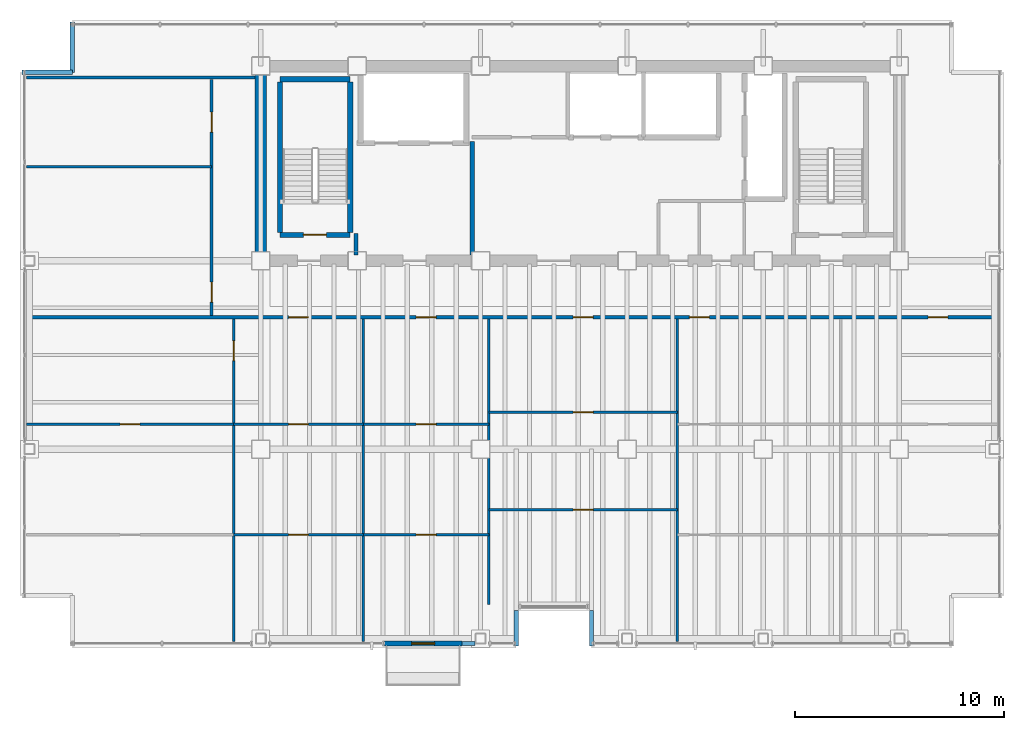
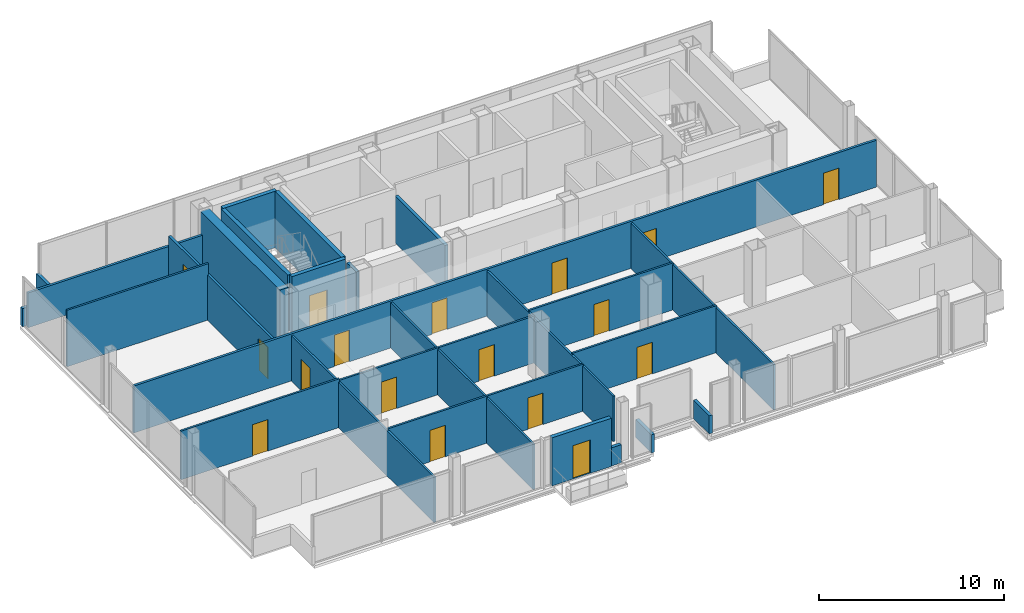
# One storey, part 19 of 22: 28 walls, 17 doors, 17 openings.
"""IFC4 building model written with IfcOpenShell, lengths in metres."""

from ifc_helpers import new_model, si_unit, direction, frame, frame_2d, origin, place, context, subcontext, project, spatial, rectangle, extrude, material, layer, layer_set, type_object, element, fill, save


model = new_model("IFC4")

# Units and contexts
model_context = context("Model", 3, precision=1e-05, world=origin(), true_north=direction((0.0, 1.0)))
body_context = subcontext(model_context, "Body", "Model", "MODEL_VIEW")
ifc_project = project(units=[si_unit("LENGTHUNIT", "METRE"), si_unit("AREAUNIT", "SQUARE_METRE"), si_unit("VOLUMEUNIT", "CUBIC_METRE"), si_unit("PLANEANGLEUNIT", "RADIAN"), si_unit("MASSUNIT", "GRAM", prefix="KILO")], contexts=[model_context])

# Site, building, storey
site_placement = place(None, origin())
site = spatial("IfcSite", under=ifc_project, at=site_placement, CompositionType="ELEMENT")
building_placement = place(site_placement, origin())
building = spatial("IfcBuilding", under=site, at=building_placement, Name="Noeulbin Bourse Tower", CompositionType="ELEMENT")
storey_placement = place(building_placement, frame((0.0, 0.0, 134.39990234375)))
storey = spatial("IfcBuildingStorey", under=building, at=storey_placement, Name="L33", CompositionType="ELEMENT", Elevation=134.39990234375)

# Wall
ifc_material_1 = material(Name="Concrete C60/75", Category="concrete")
ifc_layer_1 = layer(ifc_material_1, 0.550048828125)
ifc_layer_set_1 = layer_set([ifc_layer_1], Name="Concrete C60/75")
wall_type_1 = type_object("IfcWallType", Name="WAL-CORE-550", PredefinedType="SHEAR", material=ifc_layer_set_1)
wall_1_placement = place(storey_placement, frame((13.5, 29.35009765625, 0.0), z_axis=(0.0, 0.0, 1.0), x_axis=(0.0, 1.0, 0.0)))
element("IfcWall", 1, at=wall_1_placement, inside=storey, type_object=wall_type_1, Name="Rear Core West Shear Wall L33", PredefinedType="SHEAR", context=body_context, shape_type="SweptSolid", body=[
    extrude(rectangle(XDim=8.599853515625, YDim=0.550048828125, at=frame_2d((4.2998046875, 0.0))), origin(), (0.0, 0.0, 1.0), 3.72021484375),
])

# Wall, opening, door
ifc_material_2 = material(Name="Precast Concrete C40/50", Category="concrete")
ifc_layer_2 = layer(ifc_material_2, 0.25)
ifc_layer_set_2 = layer_set([ifc_layer_2], Name="Precast Concrete C40/50")
wall_type_2 = type_object("IfcWallType", Name="WAL-EXT-250", PredefinedType="STANDARD", material=ifc_layer_set_2)
wall_2_placement = place(storey_placement, frame((19.39990234375, 10.719970703125, 0.0), z_axis=(0.0, 0.0, 1.0), x_axis=(1.0, 0.0, 0.0)))
wall_2 = element("IfcWall", 2, at=wall_2_placement, inside=storey, type_object=wall_type_2, Name="Balcony Threshold Wall L33", PredefinedType="STANDARD", context=body_context, shape_type="SweptSolid", body=[
    extrude(rectangle(XDim=3.7001953125, YDim=0.25, at=frame_2d((1.85009765625, 0.0))), origin(), (0.0, 0.0, 1.0), 3.18017578125),
])
opening_1_placement = place(wall_2_placement, frame((1.300048828125, 0.0, 0.0)))
opening_1 = element("IfcOpeningElement", 3, at=opening_1_placement, cuts=wall_2, Name="Opening BD-11", PredefinedType="OPENING", context=body_context, shape_type="SweptSolid", body=[
    extrude(rectangle(XDim=1.10009765625, YDim=2.199951171875, at=frame_2d((0.550048828125, 1.10009765625))), frame((0.0, 0.135009765625, 0.0), z_axis=(0.0, -1.0, 0.0), x_axis=(1.0, 0.0, 0.0)), (0.0, 0.0, 1.0), 0.27001953125),
])
ifc_material_3 = material(Name="Thermally Broken Aluminium Framed Glass", Category="aluminium")
door_type_1 = type_object("IfcDoorType", Name="DR-BAL-1100", OperationType="SINGLE_SWING_LEFT", PredefinedType="DOOR", material=ifc_material_3)
door_1_placement = place(opening_1_placement, origin())
door_1 = element("IfcDoor", 4, at=door_1_placement, inside=storey, type_object=door_type_1, Name="Tree-Balcony Access Door BD-L33", OperationType="SINGLE_SWING_LEFT", OverallHeight=2.199951171875, OverallWidth=1.10009765625, PredefinedType="DOOR", context=body_context, shape_type="SweptSolid", body=[
    extrude(rectangle(XDim=1.10009765625, YDim=2.199951171875, at=frame_2d((0.550048828125, 1.10009765625))), frame((0.0, 0.02490234375, 0.0), z_axis=(0.0, -1.0, 0.0), x_axis=(1.0, 0.0, 0.0)), (0.0, 0.0, 1.0), 0.050048828125),
])
fill(opening_1, door_1)

# Walls
ifc_material_4 = material(Name="Concrete C40/50", Category="concrete")
ifc_layer_3 = layer(ifc_material_4, 0.199951171875)
ifc_layer_set_3 = layer_set([ifc_layer_3], Name="Concrete C40/50")
wall_type_3 = type_object("IfcWallType", Name="WAL-FIRE-200", PredefinedType="STANDARD", material=ifc_layer_set_3)
wall_3_placement = place(storey_placement, frame((18.050048828125, 29.284912109375, 0.0), z_axis=(0.0, 0.0, 1.0), x_axis=(0.0, 1.0, 0.0)))
element("IfcWall", 5, at=wall_3_placement, inside=storey, type_object=wall_type_3, Name="Interior Partition Wall L33-19", PredefinedType="STANDARD", context=body_context, shape_type="SweptSolid", body=[
    extrude(rectangle(XDim=1.01513671875, YDim=0.199951171875, at=frame_2d((0.507568359375, 0.0))), origin(), (0.0, 0.0, 1.0), 3.300048828125),
])
wall_4_placement = place(storey_placement, frame((23.60009765625, 29.284912109375, 0.0), z_axis=(0.0, 0.0, 1.0), x_axis=(0.0, 1.0, 0.0)))
element("IfcWall", 6, at=wall_4_placement, inside=storey, type_object=wall_type_3, Name="Interior Partition Wall L33-21", PredefinedType="STANDARD", context=body_context, shape_type="SweptSolid", body=[
    extrude(rectangle(XDim=5.4150390625, YDim=0.199951171875, at=frame_2d((2.70751953125, 0.0))), origin(), (0.0, 0.0, 1.0), 3.10009765625),
])
ifc_layer_4 = layer(ifc_material_4, 0.199951171875)
ifc_layer_set_4 = layer_set([ifc_layer_4], Name="Concrete C40/50")
wall_type_4 = type_object("IfcWallType", Name="WAL-PAR-200", PredefinedType="PARAPET", material=ifc_layer_set_4)
wall_5_placement = place(storey_placement, frame((23.10009765625, 10.719970703125, 0.0), z_axis=(0.0, 0.0, 1.0), x_axis=(1.0, 0.0, 0.0)))
element("IfcWall", 7, at=wall_5_placement, inside=storey, type_object=wall_type_4, Name="Perimeter Pier Spandrel Parapet L33-S1", PredefinedType="PARAPET", context=body_context, shape_type="SweptSolid", body=[
    extrude(rectangle(XDim=0.6298828125, YDim=0.199951171875, at=frame_2d((0.31494140625, 0.0))), origin(), (0.0, 0.0, 1.0), 1.2001953125),
])
for number, where, z_axis, x_axis, name in (
    (8, (2.10009765625, 38.0, 0.0), (0.0, 0.0, 1.0), (1.0, 0.0, 0.0), "Corner Notch Parapet L33-NW1"),
    (9, (4.5, 38.0, 0.0), (0.0, 0.0, 1.0), (0.0, 1.0, 0.0), "Corner Notch Parapet L33-NW2"),
):
    element("IfcWall", number, at=place(storey_placement, frame(where, z_axis=z_axis, x_axis=x_axis)), inside=storey, type_object=wall_type_4, Name=name, PredefinedType="PARAPET", context=body_context, shape_type="SweptSolid", body=[
        extrude(rectangle(XDim=2.39990234375, YDim=0.199951171875, at=frame_2d((1.199951171875, 0.0))), origin(), (0.0, 0.0, 1.0), 1.2001953125),
    ])
for number, where, z_axis, x_axis, name in (
    (10, (25.699951171875, 10.60009765625, 0.0), (0.0, 0.0, 1.0), (0.0, 1.0, 0.0), "Sky-Garden Recess Parapet L33-W"),
    (11, (29.300048828125, 12.300048828125, 0.0), (0.0, 0.0, 1.0), (0.0, -1.0, 0.0), "Sky-Garden Recess Parapet L33-E"),
):
    element("IfcWall", number, at=place(storey_placement, frame(where, z_axis=z_axis, x_axis=x_axis)), inside=storey, type_object=wall_type_4, Name=name, PredefinedType="PARAPET", context=body_context, shape_type="SweptSolid", body=[
        extrude(rectangle(XDim=1.699951171875, YDim=0.199951171875, at=frame_2d((0.85009765625, 0.0))), origin(), (0.0, 0.0, 1.0), 1.2001953125),
    ])

# Wall, opening, door
ifc_material_5 = material(Name="Steel Stud Gypsum Partition", Category="steel")
ifc_layer_5 = layer(ifc_material_5, 0.1201171875)
ifc_layer_set_5 = layer_set([ifc_layer_5], Name="Steel Stud Gypsum Partition")
wall_type_5 = type_object("IfcWallType", Name="WAL-PRT-120", PredefinedType="PARTITIONING", material=ifc_layer_set_5)
wall_6_placement = place(storey_placement, frame((2.31005859375, 21.18798828125, 0.0), z_axis=(0.0, 0.0, 1.0), x_axis=(1.0, 0.0, 0.0)))
wall_6 = element("IfcWall", 12, at=wall_6_placement, inside=storey, type_object=wall_type_5, Name="Interior Partition Wall L33-06", PredefinedType="PARTITIONING", context=body_context, shape_type="SweptSolid", body=[
    extrude(rectangle(XDim=9.889892578125, YDim=0.1201171875, at=frame_2d((4.94482421875, 0.0))), origin(), (0.0, 0.0, 1.0), 3.212158203125),
])
opening_2_placement = place(wall_6_placement, frame((4.469970703125, 0.0, 0.0)))
opening_2 = element("IfcOpeningElement", 13, at=opening_2_placement, cuts=wall_6, Name="Opening ID-09", PredefinedType="OPENING", context=body_context, shape_type="SweptSolid", body=[
    extrude(rectangle(XDim=0.949951171875, YDim=2.080078125, at=frame_2d((0.47509765625, 1.0400390625))), frame((0.0, 0.070068359375, 0.0), z_axis=(0.0, -1.0, 0.0), x_axis=(1.0, 0.0, 0.0)), (0.0, 0.0, 1.0), 0.14013671875),
])
ifc_material_6 = material(Name="Acoustic Solid-Core Timber", Category="wood")
door_type_2 = type_object("IfcDoorType", Name="DR-SINGLE-950", OperationType="SINGLE_SWING_LEFT", PredefinedType="DOOR", material=ifc_material_6)
door_2_placement = place(opening_2_placement, origin())
door_2 = element("IfcDoor", 14, at=door_2_placement, inside=storey, type_object=door_type_2, Name="Interior Door L33-08", OperationType="SINGLE_SWING_RIGHT", OverallHeight=2.080078125, OverallWidth=0.949951171875, PredefinedType="DOOR", context=body_context, shape_type="SweptSolid", body=[
    extrude(rectangle(XDim=0.949951171875, YDim=2.080078125, at=frame_2d((0.47509765625, 1.0400390625))), frame((0.0, 0.02490234375, 0.0), z_axis=(0.0, -1.0, 0.0), x_axis=(1.0, 0.0, 0.0)), (0.0, 0.0, 1.0), 0.050048828125),
])
fill(opening_2, door_2)

wall_7_placement = place(storey_placement, frame((12.199951171875, 21.18798828125, 0.0), z_axis=(0.0, 0.0, 1.0), x_axis=(1.0, 0.0, 0.0)))
wall_7 = element("IfcWall", 15, at=wall_7_placement, inside=storey, type_object=wall_type_5, Name="Interior Partition Wall L33-08", PredefinedType="PARTITIONING", context=body_context, shape_type="SweptSolid", body=[
    extrude(rectangle(XDim=6.199951171875, YDim=0.1201171875, at=frame_2d((3.10009765625, 0.0))), origin(), (0.0, 0.0, 1.0), 3.10009765625),
])
opening_3_placement = place(wall_7_placement, frame((2.625, 0.0, 0.0)))
opening_3 = element("IfcOpeningElement", 16, at=opening_3_placement, cuts=wall_7, Name="Opening ID-09", PredefinedType="OPENING", context=body_context, shape_type="SweptSolid", body=[
    extrude(rectangle(XDim=0.949951171875, YDim=2.080078125, at=frame_2d((0.47509765625, 1.0400390625))), frame((0.0, 0.070068359375, 0.0), z_axis=(0.0, -1.0, 0.0), x_axis=(1.0, 0.0, 0.0)), (0.0, 0.0, 1.0), 0.14013671875),
])
door_3_placement = place(opening_3_placement, origin())
door_3 = element("IfcDoor", 17, at=door_3_placement, inside=storey, type_object=door_type_2, Name="Interior Door L33-11", OperationType="SINGLE_SWING_LEFT", OverallHeight=2.080078125, OverallWidth=0.949951171875, PredefinedType="DOOR", context=body_context, shape_type="SweptSolid", body=[
    extrude(rectangle(XDim=0.949951171875, YDim=2.080078125, at=frame_2d((0.47509765625, 1.0400390625))), frame((0.0, 0.02490234375, 0.0), z_axis=(0.0, -1.0, 0.0), x_axis=(1.0, 0.0, 0.0)), (0.0, 0.0, 1.0), 0.050048828125),
])
fill(opening_3, door_3)

wall_8_placement = place(storey_placement, frame((12.199951171875, 15.922119140625, 0.0), z_axis=(0.0, 0.0, 1.0), x_axis=(1.0, 0.0, 0.0)))
wall_8 = element("IfcWall", 18, at=wall_8_placement, inside=storey, type_object=wall_type_5, Name="Interior Partition Wall L33-09", PredefinedType="PARTITIONING", context=body_context, shape_type="SweptSolid", body=[
    extrude(rectangle(XDim=6.199951171875, YDim=0.1201171875, at=frame_2d((3.10009765625, 0.0))), origin(), (0.0, 0.0, 1.0), 3.10009765625),
])
opening_4_placement = place(wall_8_placement, frame((2.625, 0.0, 0.0)))
opening_4 = element("IfcOpeningElement", 19, at=opening_4_placement, cuts=wall_8, Name="Opening ID-09", PredefinedType="OPENING", context=body_context, shape_type="SweptSolid", body=[
    extrude(rectangle(XDim=0.949951171875, YDim=2.080078125, at=frame_2d((0.47509765625, 1.0400390625))), frame((0.0, 0.070068359375, 0.0), z_axis=(0.0, -1.0, 0.0), x_axis=(1.0, 0.0, 0.0)), (0.0, 0.0, 1.0), 0.14013671875),
])
door_4_placement = place(opening_4_placement, origin())
door_4 = element("IfcDoor", 20, at=door_4_placement, inside=storey, type_object=door_type_2, Name="Interior Door L33-12", OperationType="SINGLE_SWING_RIGHT", OverallHeight=2.080078125, OverallWidth=0.949951171875, PredefinedType="DOOR", context=body_context, shape_type="SweptSolid", body=[
    extrude(rectangle(XDim=0.949951171875, YDim=2.080078125, at=frame_2d((0.47509765625, 1.0400390625))), frame((0.0, 0.02490234375, 0.0), z_axis=(0.0, -1.0, 0.0), x_axis=(1.0, 0.0, 0.0)), (0.0, 0.0, 1.0), 0.050048828125),
])
fill(opening_4, door_4)

wall_9_placement = place(storey_placement, frame((18.39990234375, 21.18798828125, 0.0), z_axis=(0.0, 0.0, 1.0), x_axis=(1.0, 0.0, 0.0)))
wall_9 = element("IfcWall", 21, at=wall_9_placement, inside=storey, type_object=wall_type_5, Name="Interior Partition Wall L33-10", PredefinedType="PARTITIONING", context=body_context, shape_type="SweptSolid", body=[
    extrude(rectangle(XDim=6.0, YDim=0.1201171875, at=frame_2d((3.0, 0.0))), origin(), (0.0, 0.0, 1.0), 3.10009765625),
])
opening_5_placement = place(wall_9_placement, frame((2.52490234375, 0.0, 0.0)))
opening_5 = element("IfcOpeningElement", 22, at=opening_5_placement, cuts=wall_9, Name="Opening ID-09", PredefinedType="OPENING", context=body_context, shape_type="SweptSolid", body=[
    extrude(rectangle(XDim=0.949951171875, YDim=2.080078125, at=frame_2d((0.47509765625, 1.0400390625))), frame((0.0, 0.070068359375, 0.0), z_axis=(0.0, -1.0, 0.0), x_axis=(1.0, 0.0, 0.0)), (0.0, 0.0, 1.0), 0.14013671875),
])
door_5_placement = place(opening_5_placement, origin())
door_5 = element("IfcDoor", 23, at=door_5_placement, inside=storey, type_object=door_type_2, Name="Interior Door L33-14", OperationType="SINGLE_SWING_RIGHT", OverallHeight=2.080078125, OverallWidth=0.949951171875, PredefinedType="DOOR", context=body_context, shape_type="SweptSolid", body=[
    extrude(rectangle(XDim=0.949951171875, YDim=2.080078125, at=frame_2d((0.47509765625, 1.0400390625))), frame((0.0, 0.02490234375, 0.0), z_axis=(0.0, -1.0, 0.0), x_axis=(1.0, 0.0, 0.0)), (0.0, 0.0, 1.0), 0.050048828125),
])
fill(opening_5, door_5)

wall_10_placement = place(storey_placement, frame((18.39990234375, 15.922119140625, 0.0), z_axis=(0.0, 0.0, 1.0), x_axis=(1.0, 0.0, 0.0)))
wall_10 = element("IfcWall", 24, at=wall_10_placement, inside=storey, type_object=wall_type_5, Name="Interior Partition Wall L33-11", PredefinedType="PARTITIONING", context=body_context, shape_type="SweptSolid", body=[
    extrude(rectangle(XDim=6.0, YDim=0.1201171875, at=frame_2d((3.0, 0.0))), origin(), (0.0, 0.0, 1.0), 3.10009765625),
])
opening_6_placement = place(wall_10_placement, frame((2.52490234375, 0.0, 0.0)))
opening_6 = element("IfcOpeningElement", 25, at=opening_6_placement, cuts=wall_10, Name="Opening ID-09", PredefinedType="OPENING", context=body_context, shape_type="SweptSolid", body=[
    extrude(rectangle(XDim=0.949951171875, YDim=2.080078125, at=frame_2d((0.47509765625, 1.0400390625))), frame((0.0, 0.070068359375, 0.0), z_axis=(0.0, -1.0, 0.0), x_axis=(1.0, 0.0, 0.0)), (0.0, 0.0, 1.0), 0.14013671875),
])
door_6_placement = place(opening_6_placement, origin())
door_6 = element("IfcDoor", 26, at=door_6_placement, inside=storey, type_object=door_type_2, Name="Interior Door L33-15", OperationType="SINGLE_SWING_LEFT", OverallHeight=2.080078125, OverallWidth=0.949951171875, PredefinedType="DOOR", context=body_context, shape_type="SweptSolid", body=[
    extrude(rectangle(XDim=0.949951171875, YDim=2.080078125, at=frame_2d((0.47509765625, 1.0400390625))), frame((0.0, 0.02490234375, 0.0), z_axis=(0.0, -1.0, 0.0), x_axis=(1.0, 0.0, 0.0)), (0.0, 0.0, 1.0), 0.050048828125),
])
fill(opening_6, door_6)

wall_11_placement = place(storey_placement, frame((24.39990234375, 21.76904296875, 0.0), z_axis=(0.0, 0.0, 1.0), x_axis=(1.0, 0.0, 0.0)))
wall_11 = element("IfcWall", 27, at=wall_11_placement, inside=storey, type_object=wall_type_5, Name="Interior Partition Wall L33-12", PredefinedType="PARTITIONING", context=body_context, shape_type="SweptSolid", body=[
    extrude(rectangle(XDim=9.0, YDim=0.1201171875, at=frame_2d((4.5, 0.0))), origin(), (0.0, 0.0, 1.0), 3.10009765625),
])
opening_7_placement = place(wall_11_placement, frame((4.02490234375, 0.0, 0.0)))
opening_7 = element("IfcOpeningElement", 28, at=opening_7_placement, cuts=wall_11, Name="Opening ID-09", PredefinedType="OPENING", context=body_context, shape_type="SweptSolid", body=[
    extrude(rectangle(XDim=0.949951171875, YDim=2.080078125, at=frame_2d((0.47509765625, 1.0400390625))), frame((0.0, 0.070068359375, 0.0), z_axis=(0.0, -1.0, 0.0), x_axis=(1.0, 0.0, 0.0)), (0.0, 0.0, 1.0), 0.14013671875),
])
door_7_placement = place(opening_7_placement, origin())
door_7 = element("IfcDoor", 29, at=door_7_placement, inside=storey, type_object=door_type_2, Name="Interior Door L33-17", OperationType="SINGLE_SWING_LEFT", OverallHeight=2.080078125, OverallWidth=0.949951171875, PredefinedType="DOOR", context=body_context, shape_type="SweptSolid", body=[
    extrude(rectangle(XDim=0.949951171875, YDim=2.080078125, at=frame_2d((0.47509765625, 1.0400390625))), frame((0.0, 0.02490234375, 0.0), z_axis=(0.0, -1.0, 0.0), x_axis=(1.0, 0.0, 0.0)), (0.0, 0.0, 1.0), 0.050048828125),
])
fill(opening_7, door_7)

wall_12_placement = place(storey_placement, frame((24.39990234375, 17.10107421875, 0.0), z_axis=(0.0, 0.0, 1.0), x_axis=(1.0, 0.0, 0.0)))
wall_12 = element("IfcWall", 30, at=wall_12_placement, inside=storey, type_object=wall_type_5, Name="Interior Partition Wall L33-13", PredefinedType="PARTITIONING", context=body_context, shape_type="SweptSolid", body=[
    extrude(rectangle(XDim=9.0, YDim=0.1201171875, at=frame_2d((4.5, 0.0))), origin(), (0.0, 0.0, 1.0), 3.10009765625),
])
opening_8_placement = place(wall_12_placement, frame((4.02490234375, 0.0, 0.0)))
opening_8 = element("IfcOpeningElement", 31, at=opening_8_placement, cuts=wall_12, Name="Opening ID-09", PredefinedType="OPENING", context=body_context, shape_type="SweptSolid", body=[
    extrude(rectangle(XDim=0.949951171875, YDim=2.080078125, at=frame_2d((0.47509765625, 1.0400390625))), frame((0.0, 0.070068359375, 0.0), z_axis=(0.0, -1.0, 0.0), x_axis=(1.0, 0.0, 0.0)), (0.0, 0.0, 1.0), 0.14013671875),
])
door_8_placement = place(opening_8_placement, origin())
door_8 = element("IfcDoor", 32, at=door_8_placement, inside=storey, type_object=door_type_2, Name="Interior Door L33-18", OperationType="SINGLE_SWING_RIGHT", OverallHeight=2.080078125, OverallWidth=0.949951171875, PredefinedType="DOOR", context=body_context, shape_type="SweptSolid", body=[
    extrude(rectangle(XDim=0.949951171875, YDim=2.080078125, at=frame_2d((0.47509765625, 1.0400390625))), frame((0.0, 0.02490234375, 0.0), z_axis=(0.0, -1.0, 0.0), x_axis=(1.0, 0.0, 0.0)), (0.0, 0.0, 1.0), 0.050048828125),
])
fill(opening_8, door_8)

# Wall
wall_13_placement = place(storey_placement, frame((2.31005859375, 33.5, 0.0), z_axis=(0.0, 0.0, 1.0), x_axis=(1.0, 0.0, 0.0)))
element("IfcWall", 33, at=wall_13_placement, inside=storey, type_object=wall_type_5, Name="Interior Partition Wall L33-18", PredefinedType="PARTITIONING", context=body_context, shape_type="SweptSolid", body=[
    extrude(rectangle(XDim=8.83984375, YDim=0.1201171875, at=frame_2d((4.419921875, 0.0))), origin(), (0.0, 0.0, 1.0), 3.72021484375),
])

# Wall, opening, door
wall_14_placement = place(storey_placement, frame((12.199951171875, 10.81005859375, 0.0), z_axis=(0.0, 0.0, 1.0), x_axis=(0.0, 1.0, 0.0)))
wall_14 = element("IfcWall", 34, at=wall_14_placement, inside=storey, type_object=wall_type_5, Name="Interior Partition Wall L33-26", PredefinedType="PARTITIONING", context=body_context, shape_type="SweptSolid", body=[
    extrude(rectangle(XDim=15.405029296875, YDim=0.1201171875, at=frame_2d((7.70263671875, 0.0))), origin(), (0.0, 0.0, 1.0), 3.0),
])
opening_9_placement = place(wall_14_placement, frame((13.4150390625, 0.0, 0.0)))
opening_9 = element("IfcOpeningElement", 35, at=opening_9_placement, cuts=wall_14, Name="Opening ID-09", PredefinedType="OPENING", context=body_context, shape_type="SweptSolid", body=[
    extrude(rectangle(XDim=0.949951171875, YDim=2.080078125, at=frame_2d((0.47509765625, 1.0400390625))), frame((0.0, 0.070068359375, 0.0), z_axis=(0.0, -1.0, 0.0), x_axis=(1.0, 0.0, 0.0)), (0.0, 0.0, 1.0), 0.14013671875),
])
door_9_placement = place(opening_9_placement, origin())
door_9 = element("IfcDoor", 36, at=door_9_placement, inside=storey, type_object=door_type_2, Name="Interior Door L33-10", OperationType="SINGLE_SWING_RIGHT", OverallHeight=2.080078125, OverallWidth=0.949951171875, PredefinedType="DOOR", context=body_context, shape_type="SweptSolid", body=[
    extrude(rectangle(XDim=0.949951171875, YDim=2.080078125, at=frame_2d((0.47509765625, 1.0400390625))), frame((0.0, 0.02490234375, 0.0), z_axis=(0.0, -1.0, 0.0), x_axis=(1.0, 0.0, 0.0)), (0.0, 0.0, 1.0), 0.050048828125),
])
fill(opening_9, door_9)

# Walls
wall_15_placement = place(storey_placement, frame((18.39990234375, 10.81005859375, 0.0), z_axis=(0.0, 0.0, 1.0), x_axis=(0.0, 1.0, 0.0)))
element("IfcWall", 37, at=wall_15_placement, inside=storey, type_object=wall_type_5, Name="Interior Partition Wall L33-27", PredefinedType="PARTITIONING", context=body_context, shape_type="SweptSolid", body=[
    extrude(rectangle(XDim=15.405029296875, YDim=0.1201171875, at=frame_2d((7.70263671875, 0.0))), origin(), (0.0, 0.0, 1.0), 3.0),
])
wall_16_placement = place(storey_placement, frame((24.39990234375, 12.570068359375, 0.0), z_axis=(0.0, 0.0, 1.0), x_axis=(0.0, 1.0, 0.0)))
element("IfcWall", 38, at=wall_16_placement, inside=storey, type_object=wall_type_5, Name="Interior Partition Wall L33-28", PredefinedType="PARTITIONING", context=body_context, shape_type="SweptSolid", body=[
    extrude(rectangle(XDim=13.64501953125, YDim=0.1201171875, at=frame_2d((6.822509765625, 0.0))), origin(), (0.0, 0.0, 1.0), 3.0),
])
wall_17_placement = place(storey_placement, frame((33.39990234375, 10.81005859375, 0.0), z_axis=(0.0, 0.0, 1.0), x_axis=(0.0, 1.0, 0.0)))
element("IfcWall", 39, at=wall_17_placement, inside=storey, type_object=wall_type_5, Name="Interior Partition Wall L33-29", PredefinedType="PARTITIONING", context=body_context, shape_type="SweptSolid", body=[
    extrude(rectangle(XDim=15.405029296875, YDim=0.1201171875, at=frame_2d((7.70263671875, 0.0))), origin(), (0.0, 0.0, 1.0), 3.0),
])

# Wall, openings, doors
ifc_material_7 = material(Name="Steel Stud Acoustic Gypsum Board", Category="steel")
ifc_layer_6 = layer(ifc_material_7, 0.14990234375)
ifc_layer_set_6 = layer_set([ifc_layer_6], Name="Steel Stud Acoustic Gypsum Board")
wall_type_6 = type_object("IfcWallType", Name="WAL-PRT-150", PredefinedType="PARTITIONING", material=ifc_layer_set_6)
wall_18_placement = place(storey_placement, frame((2.31005859375, 26.300048828125, 0.0), z_axis=(0.0, 0.0, 1.0), x_axis=(1.0, 0.0, 0.0)))
wall_18 = element("IfcWall", 40, at=wall_18_placement, inside=storey, type_object=wall_type_6, Name="Interior Partition Wall L33-04", PredefinedType="PARTITIONING", context=body_context, shape_type="SweptSolid", body=[
    extrude(rectangle(XDim=46.3798828125, YDim=0.14990234375, at=frame_2d((23.18994140625, 0.0))), origin(), (0.0, 0.0, 1.0), 3.10009765625),
])
opening_10_placement = place(wall_18_placement, frame((12.514892578125, 0.0, 0.0)))
opening_10 = element("IfcOpeningElement", 41, at=opening_10_placement, cuts=wall_18, Name="Opening ID-09", PredefinedType="OPENING", context=body_context, shape_type="SweptSolid", body=[
    extrude(rectangle(XDim=0.949951171875, YDim=2.080078125, at=frame_2d((0.47509765625, 1.0400390625))), frame((0.0, 0.0849609375, 0.0), z_axis=(0.0, -1.0, 0.0), x_axis=(1.0, 0.0, 0.0)), (0.0, 0.0, 1.0), 0.169921875),
])
opening_11_placement = place(wall_18_placement, frame((18.614990234375, 0.0, 0.0)))
opening_11 = element("IfcOpeningElement", 42, at=opening_11_placement, cuts=wall_18, Name="Opening ID-09", PredefinedType="OPENING", context=body_context, shape_type="SweptSolid", body=[
    extrude(rectangle(XDim=0.949951171875, YDim=2.080078125, at=frame_2d((0.47509765625, 1.0400390625))), frame((0.0, 0.0849609375, 0.0), z_axis=(0.0, -1.0, 0.0), x_axis=(1.0, 0.0, 0.0)), (0.0, 0.0, 1.0), 0.169921875),
])
opening_12_placement = place(wall_18_placement, frame((26.114990234375, 0.0, 0.0)))
opening_12 = element("IfcOpeningElement", 43, at=opening_12_placement, cuts=wall_18, Name="Opening ID-09", PredefinedType="OPENING", context=body_context, shape_type="SweptSolid", body=[
    extrude(rectangle(XDim=0.949951171875, YDim=2.080078125, at=frame_2d((0.47509765625, 1.0400390625))), frame((0.0, 0.0849609375, 0.0), z_axis=(0.0, -1.0, 0.0), x_axis=(1.0, 0.0, 0.0)), (0.0, 0.0, 1.0), 0.169921875),
])
opening_13_placement = place(wall_18_placement, frame((31.6650390625, 0.0, 0.0)))
opening_13 = element("IfcOpeningElement", 44, at=opening_13_placement, cuts=wall_18, Name="Opening ID-09", PredefinedType="OPENING", context=body_context, shape_type="SweptSolid", body=[
    extrude(rectangle(XDim=0.949951171875, YDim=2.080078125, at=frame_2d((0.47509765625, 1.0400390625))), frame((0.0, 0.0849609375, 0.0), z_axis=(0.0, -1.0, 0.0), x_axis=(1.0, 0.0, 0.0)), (0.0, 0.0, 1.0), 0.169921875),
])
opening_14_placement = place(wall_18_placement, frame((43.06005859375, 0.0, 0.0)))
opening_14 = element("IfcOpeningElement", 45, at=opening_14_placement, cuts=wall_18, Name="Opening ID-09", PredefinedType="OPENING", context=body_context, shape_type="SweptSolid", body=[
    extrude(rectangle(XDim=0.949951171875, YDim=2.080078125, at=frame_2d((0.47509765625, 1.0400390625))), frame((0.0, 0.0849609375, 0.0), z_axis=(0.0, -1.0, 0.0), x_axis=(1.0, 0.0, 0.0)), (0.0, 0.0, 1.0), 0.169921875),
])
door_10_placement = place(opening_10_placement, origin())
door_10 = element("IfcDoor", 46, at=door_10_placement, inside=storey, type_object=door_type_2, Name="Interior Door L33-13", OperationType="SINGLE_SWING_LEFT", OverallHeight=2.080078125, OverallWidth=0.949951171875, PredefinedType="DOOR", context=body_context, shape_type="SweptSolid", body=[
    extrude(rectangle(XDim=0.949951171875, YDim=2.080078125, at=frame_2d((0.47509765625, 1.0400390625))), frame((0.0, 0.02490234375, 0.0), z_axis=(0.0, -1.0, 0.0), x_axis=(1.0, 0.0, 0.0)), (0.0, 0.0, 1.0), 0.050048828125),
])
fill(opening_10, door_10)
door_11_placement = place(opening_11_placement, origin())
door_11 = element("IfcDoor", 47, at=door_11_placement, inside=storey, type_object=door_type_2, Name="Interior Door L33-16", OperationType="SINGLE_SWING_RIGHT", OverallHeight=2.080078125, OverallWidth=0.949951171875, PredefinedType="DOOR", context=body_context, shape_type="SweptSolid", body=[
    extrude(rectangle(XDim=0.949951171875, YDim=2.080078125, at=frame_2d((0.47509765625, 1.0400390625))), frame((0.0, 0.02490234375, 0.0), z_axis=(0.0, -1.0, 0.0), x_axis=(1.0, 0.0, 0.0)), (0.0, 0.0, 1.0), 0.050048828125),
])
fill(opening_11, door_11)
door_12_placement = place(opening_12_placement, origin())
door_12 = element("IfcDoor", 48, at=door_12_placement, inside=storey, type_object=door_type_2, Name="Interior Door L33-19", OperationType="SINGLE_SWING_LEFT", OverallHeight=2.080078125, OverallWidth=0.949951171875, PredefinedType="DOOR", context=body_context, shape_type="SweptSolid", body=[
    extrude(rectangle(XDim=0.949951171875, YDim=2.080078125, at=frame_2d((0.47509765625, 1.0400390625))), frame((0.0, 0.02490234375, 0.0), z_axis=(0.0, -1.0, 0.0), x_axis=(1.0, 0.0, 0.0)), (0.0, 0.0, 1.0), 0.050048828125),
])
fill(opening_12, door_12)
door_13_placement = place(opening_13_placement, origin())
door_13 = element("IfcDoor", 49, at=door_13_placement, inside=storey, type_object=door_type_2, Name="Interior Door L33-22", OperationType="SINGLE_SWING_RIGHT", OverallHeight=2.080078125, OverallWidth=0.949951171875, PredefinedType="DOOR", context=body_context, shape_type="SweptSolid", body=[
    extrude(rectangle(XDim=0.949951171875, YDim=2.080078125, at=frame_2d((0.47509765625, 1.0400390625))), frame((0.0, 0.02490234375, 0.0), z_axis=(0.0, -1.0, 0.0), x_axis=(1.0, 0.0, 0.0)), (0.0, 0.0, 1.0), 0.050048828125),
])
fill(opening_13, door_13)
door_14_placement = place(opening_14_placement, origin())
door_14 = element("IfcDoor", 50, at=door_14_placement, inside=storey, type_object=door_type_2, Name="Interior Door L33-25", OperationType="SINGLE_SWING_LEFT", OverallHeight=2.080078125, OverallWidth=0.949951171875, PredefinedType="DOOR", context=body_context, shape_type="SweptSolid", body=[
    extrude(rectangle(XDim=0.949951171875, YDim=2.080078125, at=frame_2d((0.47509765625, 1.0400390625))), frame((0.0, 0.02490234375, 0.0), z_axis=(0.0, -1.0, 0.0), x_axis=(1.0, 0.0, 0.0)), (0.0, 0.0, 1.0), 0.050048828125),
])
fill(opening_14, door_14)

# Wall
wall_19_placement = place(storey_placement, frame((2.31005859375, 37.75, 0.0), z_axis=(0.0, 0.0, 1.0), x_axis=(1.0, 0.0, 0.0)))
element("IfcWall", 51, at=wall_19_placement, inside=storey, type_object=wall_type_6, Name="Interior Partition Wall L33-05", PredefinedType="PARTITIONING", context=body_context, shape_type="SweptSolid", body=[
    extrude(rectangle(XDim=10.905029296875, YDim=0.14990234375, at=frame_2d((5.45263671875, 0.0))), origin(), (0.0, 0.0, 1.0), 2.300048828125),
])

# Wall, openings, doors
wall_20_placement = place(storey_placement, frame((11.14990234375, 26.385009765625, 0.0), z_axis=(0.0, 0.0, 1.0), x_axis=(0.0, 1.0, 0.0)))
wall_20 = element("IfcWall", 52, at=wall_20_placement, inside=storey, type_object=wall_type_6, Name="Interior Partition Wall L33-25", PredefinedType="PARTITIONING", context=body_context, shape_type="SweptSolid", body=[
    extrude(rectangle(XDim=11.280029296875, YDim=0.14990234375, at=frame_2d((5.64013671875, 0.0))), origin(), (0.0, 0.0, 1.0), 3.0),
])
opening_15_placement = place(wall_20_placement, frame((0.639892578125, 0.0, 0.0)))
opening_15 = element("IfcOpeningElement", 53, at=opening_15_placement, cuts=wall_20, Name="Opening ID-09", PredefinedType="OPENING", context=body_context, shape_type="SweptSolid", body=[
    extrude(rectangle(XDim=0.949951171875, YDim=2.080078125, at=frame_2d((0.47509765625, 1.0400390625))), frame((0.0, 0.0849609375, 0.0), z_axis=(0.0, -1.0, 0.0), x_axis=(1.0, 0.0, 0.0)), (0.0, 0.0, 1.0), 0.169921875),
])
opening_16_placement = place(wall_20_placement, frame((8.764892578125, 0.0, 0.0)))
opening_16 = element("IfcOpeningElement", 54, at=opening_16_placement, cuts=wall_20, Name="Opening ID-09", PredefinedType="OPENING", context=body_context, shape_type="SweptSolid", body=[
    extrude(rectangle(XDim=0.949951171875, YDim=2.080078125, at=frame_2d((0.47509765625, 1.0400390625))), frame((0.0, 0.0849609375, 0.0), z_axis=(0.0, -1.0, 0.0), x_axis=(1.0, 0.0, 0.0)), (0.0, 0.0, 1.0), 0.169921875),
])
door_15_placement = place(opening_15_placement, origin())
door_15 = element("IfcDoor", 55, at=door_15_placement, inside=storey, type_object=door_type_2, Name="Interior Door L33-26", OperationType="SINGLE_SWING_RIGHT", OverallHeight=2.080078125, OverallWidth=0.949951171875, PredefinedType="DOOR", context=body_context, shape_type="SweptSolid", body=[
    extrude(rectangle(XDim=0.949951171875, YDim=2.080078125, at=frame_2d((0.47509765625, 1.0400390625))), frame((0.0, 0.02490234375, 0.0), z_axis=(0.0, -1.0, 0.0), x_axis=(1.0, 0.0, 0.0)), (0.0, 0.0, 1.0), 0.050048828125),
])
fill(opening_15, door_15)
door_16_placement = place(opening_16_placement, origin())
door_16 = element("IfcDoor", 56, at=door_16_placement, inside=storey, type_object=door_type_2, Name="Interior Door L33-27", OperationType="SINGLE_SWING_LEFT", OverallHeight=2.080078125, OverallWidth=0.949951171875, PredefinedType="DOOR", context=body_context, shape_type="SweptSolid", body=[
    extrude(rectangle(XDim=0.949951171875, YDim=2.080078125, at=frame_2d((0.47509765625, 1.0400390625))), frame((0.0, 0.02490234375, 0.0), z_axis=(0.0, -1.0, 0.0), x_axis=(1.0, 0.0, 0.0)), (0.0, 0.0, 1.0), 0.050048828125),
])
fill(opening_16, door_16)

# Wall, opening, door
ifc_layer_7 = layer(ifc_material_4, 0.25)
ifc_layer_set_7 = layer_set([ifc_layer_7], Name="Concrete C40/50")
wall_type_7 = type_object("IfcWallType", Name="WAL-SHFT-250", PredefinedType="STANDARD", material=ifc_layer_set_7)
wall_21_placement = place(storey_placement, frame((14.429931640625, 30.235107421875, 0.0), z_axis=(0.0, 0.0, 1.0), x_axis=(1.0, 0.0, 0.0)))
wall_21 = element("IfcWall", 57, at=wall_21_placement, inside=storey, type_object=wall_type_7, Name="Stair ST-1 South Shaft Wall L33", PredefinedType="STANDARD", context=body_context, shape_type="SweptSolid", body=[
    extrude(rectangle(XDim=3.340087890625, YDim=0.25, at=frame_2d((1.669921875, 0.0))), origin(), (0.0, 0.0, 1.0), 3.72021484375),
])
opening_17_placement = place(wall_21_placement, frame((1.10009765625, 0.0, 0.0)))
opening_17 = element("IfcOpeningElement", 58, at=opening_17_placement, cuts=wall_21, Name="Opening FD-11", PredefinedType="OPENING", context=body_context, shape_type="SweptSolid", body=[
    extrude(rectangle(XDim=1.10009765625, YDim=2.080078125, at=frame_2d((0.550048828125, 1.0400390625))), frame((0.0, 0.135009765625, 0.0), z_axis=(0.0, -1.0, 0.0), x_axis=(1.0, 0.0, 0.0)), (0.0, 0.0, 1.0), 0.27001953125),
])
ifc_material_8 = material(Name="Fire-Rated Insulated Steel", Category="steel")
door_type_3 = type_object("IfcDoorType", Name="DR-FD60-1100", OperationType="SINGLE_SWING_LEFT", PredefinedType="DOOR", material=ifc_material_8)
door_17_placement = place(opening_17_placement, origin())
door_17 = element("IfcDoor", 59, at=door_17_placement, inside=storey, type_object=door_type_3, Name="Protected Stair Entry Door ST1-L33", OperationType="SINGLE_SWING_LEFT", OverallHeight=2.080078125, OverallWidth=1.10009765625, PredefinedType="DOOR", context=body_context, shape_type="SweptSolid", body=[
    extrude(rectangle(XDim=1.10009765625, YDim=2.080078125, at=frame_2d((0.550048828125, 1.0400390625))), frame((0.0, 0.02490234375, 0.0), z_axis=(0.0, -1.0, 0.0), x_axis=(1.0, 0.0, 0.0)), (0.0, 0.0, 1.0), 0.050048828125),
])
fill(opening_17, door_17)

# Walls
wall_22_placement = place(storey_placement, frame((14.429931640625, 37.6689453125, 0.0), z_axis=(0.0, 0.0, 1.0), x_axis=(1.0, 0.0, 0.0)))
element("IfcWall", 60, at=wall_22_placement, inside=storey, type_object=wall_type_7, Name="Stair ST-1 North Shaft Wall L33", PredefinedType="STANDARD", context=body_context, shape_type="SweptSolid", body=[
    extrude(rectangle(XDim=3.340087890625, YDim=0.25, at=frame_2d((1.669921875, 0.0))), origin(), (0.0, 0.0, 1.0), 3.72021484375),
])
for number, where, z_axis, x_axis, name in (
    (61, (14.425048828125, 30.360107421875, 0.0), (0.0, 0.0, 1.0), (0.0, 1.0, 0.0), "Stair ST-1 West Shaft Wall L33"),
    (62, (17.77490234375, 30.360107421875, 0.0), (0.0, 0.0, 1.0), (0.0, 1.0, 0.0), "Stair ST-1 East Shaft Wall L33"),
):
    element("IfcWall", number, at=place(storey_placement, frame(where, z_axis=z_axis, x_axis=x_axis)), inside=storey, type_object=wall_type_7, Name=name, PredefinedType="STANDARD", context=body_context, shape_type="SweptSolid", body=[
        extrude(rectangle(XDim=7.183837890625, YDim=0.25, at=frame_2d((3.591796875, 0.0))), origin(), (0.0, 0.0, 1.0), 3.72021484375),
    ])

save(model, "model.ifc")
